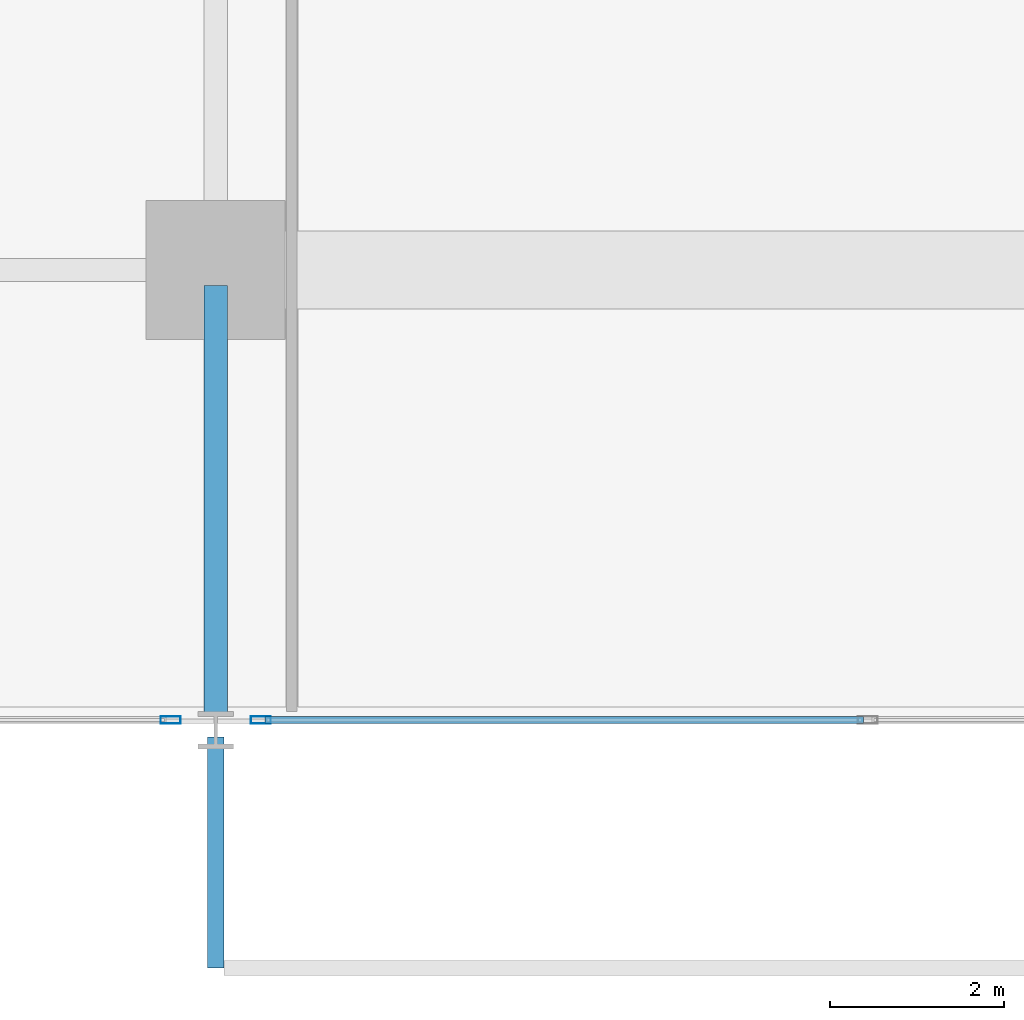
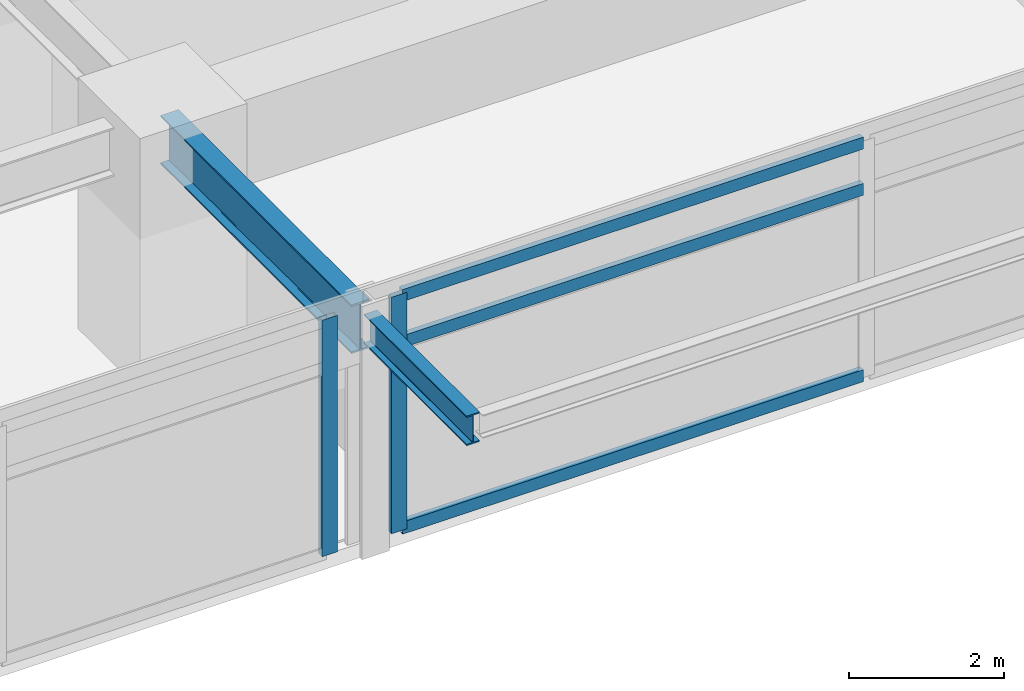
# One storey, part 3 of 23: 5 members, 2 beams, 2 elements without a shape of their own.
"""IFC4 building model written with IfcOpenShell, lengths in metres."""

import ifcopenshell
import ifcopenshell.guid

model = None  # the IFC model being written
_history = None  # IfcOwnerHistory: only IFC2X3 demands one
_inside = {}  # id of a spatial element -> (the spatial element, [elements in it])
_under = {}  # id of a project, library or spatial element -> (it, [spatial elements below it])
_declared = {}  # id of a project -> (the project, [libraries it declares])
_typed = {}  # id of a type object -> (the type object, [elements of that type])
_made_of = {}  # id of a material, layer set ... -> (it, [elements and type objects made of it])


def new_model(schema):
    """Start an empty IFC model of exactly this schema.

    Asked for "IFC4X3", IfcOpenShell would pick the latest addendum, in which some entities
    have other attributes; the version numbers below select the first issue.
    IFC2X3 requires an IfcOwnerHistory on every rooted entity: one is made here for all.
    """
    global model, _history
    if schema == "IFC4X3":
        model = ifcopenshell.file(schema_version=(4, 3, 0, 0))
    else:
        model = ifcopenshell.file(schema=schema)
    _inside.clear()
    _under.clear()
    _declared.clear()
    _typed.clear()
    _made_of.clear()
    _history = None
    if model.schema == "IFC2X3":
        org = make("IfcOrganization", Name="unknown")
        user = make(
            "IfcPersonAndOrganization",
            ThePerson=make("IfcPerson", FamilyName="unknown"),
            TheOrganization=org,
        )
        app = make(
            "IfcApplication",
            ApplicationDeveloper=org,
            Version="unknown",
            ApplicationFullName="unknown",
            ApplicationIdentifier="unknown",
        )
        _history = make(
            "IfcOwnerHistory",
            OwningUser=user,
            OwningApplication=app,
            ChangeAction="ADDED",
            CreationDate=0,
        )
    return model


def make(cls, **values):
    """One entity of the class cls with the attributes given. An attribute that is None is left unset."""
    return model.create_entity(
        cls, **{name: value for name, value in values.items() if value is not None}
    )


def rooted(cls, **values):
    """An entity with a GlobalId (a new one), such as an element, a storey or a relation."""
    return make(cls, GlobalId=ifcopenshell.guid.new(), OwnerHistory=_history, **values)


def si_unit(unit_type, name, prefix=None):
    """IfcSIUnit, for example si_unit("LENGTHUNIT", "METRE", prefix="MILLI")."""
    return make("IfcSIUnit", UnitType=unit_type, Prefix=prefix, Name=name)


def assignment(units):
    """IfcUnitAssignment: the units of a project."""
    return None if units is None else make("IfcUnitAssignment", Units=units)


def point(xyz):
    """IfcCartesianPoint."""
    return None if xyz is None else make("IfcCartesianPoint", Coordinates=xyz)


def direction(xyz):
    """IfcDirection."""
    return None if xyz is None else make("IfcDirection", DirectionRatios=xyz)


def frame(location, z_axis=None, x_axis=None):
    """IfcAxis2Placement3D, a coordinate frame: its origin and axes. An axis left out is left unset."""
    return make(
        "IfcAxis2Placement3D",
        Location=point(location),
        Axis=direction(z_axis),
        RefDirection=direction(x_axis),
    )


def frame_2d(location, x_axis=None):
    """IfcAxis2Placement2D, a coordinate frame in the plane: its origin and x axis."""
    return make(
        "IfcAxis2Placement2D", Location=point(location), RefDirection=direction(x_axis)
    )


def origin():
    """The frame at (0, 0, 0) with its axes left unset."""
    return frame((0.0, 0.0, 0.0))


def origin_2d():
    """The frame at (0, 0) in the plane with its x axis left unset."""
    return frame_2d((0.0, 0.0))


def place(relative_to, where):
    """IfcLocalPlacement: puts the frame where relative to a parent placement (None: the world)."""
    return make(
        "IfcLocalPlacement", PlacementRelTo=relative_to, RelativePlacement=where
    )


def context(
    kind, dimensions, precision=None, world=None, true_north=None, identifier=None
):
    """IfcGeometricRepresentationContext, for example the 3D "Model" context."""
    return make(
        "IfcGeometricRepresentationContext",
        ContextIdentifier=identifier,
        ContextType=kind,
        CoordinateSpaceDimension=dimensions,
        Precision=precision,
        WorldCoordinateSystem=world,
        TrueNorth=true_north,
    )


def subcontext(parent, identifier, kind, view, scale=None):
    """IfcGeometricRepresentationSubContext, for example "Body" below "Model"."""
    return make(
        "IfcGeometricRepresentationSubContext",
        ContextIdentifier=identifier,
        ContextType=kind,
        ParentContext=parent,
        TargetScale=scale,
        TargetView=view,
    )


def project(units=None, contexts=None):
    """IfcProject with its units and contexts."""
    return rooted(
        "IfcProject",
        Name="project",
        RepresentationContexts=contexts,
        UnitsInContext=assignment(units),
    )


def spatial(cls, under=None, at=None, **own):
    """A site, building, storey or space (cls), placed at a placement, below another one or the project."""
    s = rooted(cls, ObjectPlacement=at, **own)
    if under is not None:
        _under.setdefault(under.id(), (under, []))[1].append(s)
    return s


def profile(cls, at=None, kind="AREA", **sizes):
    """A parametric profile (cls). Its sizes go by their IFC names, for example OverallWidth=200.0."""
    return make(cls, ProfileType=kind, Position=at, **sizes)


def hollow_rectangle(**sizes):
    """IfcRectangleHollowProfileDef."""
    return profile("IfcRectangleHollowProfileDef", **sizes)


def i_section(**sizes):
    """IfcIShapeProfileDef."""
    return profile("IfcIShapeProfileDef", **sizes)


def extrude(swept, where, along, depth):
    """IfcExtrudedAreaSolid: the profile swept, set in the frame where, extruded along a direction by depth."""
    return make(
        "IfcExtrudedAreaSolid",
        SweptArea=swept,
        Position=where,
        ExtrudedDirection=direction(along),
        Depth=depth,
    )


def shape(context_of_items, identifier, shape_type, items):
    """IfcShapeRepresentation: the items that make up one representation, for example the "Body"."""
    return make(
        "IfcShapeRepresentation",
        ContextOfItems=context_of_items,
        RepresentationIdentifier=identifier,
        RepresentationType=shape_type,
        Items=items,
    )


def material(Name=None, Category=None):
    """IfcMaterial."""
    return make("IfcMaterial", Name=Name, Category=Category)


def material_profile(
    of_material, cross_section, Name=None, Category=None, Priority=None
):
    """IfcMaterialProfile: a cross section and its material."""
    return make(
        "IfcMaterialProfile",
        Name=Name,
        Material=of_material,
        Profile=cross_section,
        Priority=Priority,
        Category=Category,
    )


def profile_set(profiles, Name=None, composite=None):
    """IfcMaterialProfileSet."""
    return make(
        "IfcMaterialProfileSet",
        Name=Name,
        MaterialProfiles=profiles,
        CompositeProfile=composite,
    )


def made_of(thing, what):
    """Note that an element or type object is made of a material, layer set ...; save() writes the relation."""
    if what is not None:
        _made_of.setdefault(what.id(), (what, []))[1].append(thing)
    return thing


def type_object(cls, material=None, **own):
    """A type object (cls), such as IfcWallType, which elements share."""
    return made_of(rooted(cls, **own), material)


def element(
    cls,
    number,
    at=None,
    inside=None,
    cuts=None,
    type_object=None,
    material=None,
    context=None,
    identifier="Body",
    shape_type=None,
    held_by="IfcProductDefinitionShape",
    body=None,
    shapes=None,
    **own,
):
    """One element of the class cls, such as IfcWall. Its Tag is "e" and its number.

    at: its placement. inside: the storey or other place that contains it. cuts: it is an
    opening in that element (IfcRelVoidsElement). A single representation is given by context,
    identifier, shape_type and body (its items); several are given by shapes. held_by: the class
    of the entity that holds the representations. save() writes the other relations.
    """
    e = rooted(cls, Tag="e%d" % number, ObjectPlacement=at, **own)
    if body is not None:
        shapes = [shape(context, identifier, shape_type, body)]
    if shapes is not None:
        e.Representation = make(held_by, Representations=shapes)
    if inside is not None:
        _inside.setdefault(inside.id(), (inside, []))[1].append(e)
    if cuts is not None:
        rooted(
            "IfcRelVoidsElement", RelatingBuildingElement=cuts, RelatedOpeningElement=e
        )
    if type_object is not None:
        _typed.setdefault(type_object.id(), (type_object, []))[1].append(e)
    return made_of(e, material)


def aggregate(whole, parts):
    """IfcRelAggregates: a whole, such as a stair, and the parts it consists of."""
    return rooted("IfcRelAggregates", RelatingObject=whole, RelatedObjects=parts)


def save(model, path):
    """Write the relations noted so far, then the file.

    IfcRelAggregates (storeys below a building ...), IfcRelContainedInSpatialStructure (elements
    in a storey), IfcRelDefinesByType, IfcRelAssociatesMaterial and IfcRelDeclares: one each for
    every whole, place, type object, material and project.
    """
    for whole, parts in _under.values():
        aggregate(whole, parts)
    for where, things in _inside.values():
        rooted(
            "IfcRelContainedInSpatialStructure",
            RelatedElements=things,
            RelatingStructure=where,
        )
    for kind, things in _typed.values():
        rooted("IfcRelDefinesByType", RelatedObjects=things, RelatingType=kind)
    for what, things in _made_of.values():
        rooted("IfcRelAssociatesMaterial", RelatedObjects=things, RelatingMaterial=what)
    for by, libraries in _declared.values():
        rooted("IfcRelDeclares", RelatingContext=by, RelatedDefinitions=libraries)
    model.write(path)


model = new_model("IFC4")

# Units and contexts
model_context = context("Model", 3, precision=1e-05, world=origin(), true_north=direction((0.0, 1.0)))
body_context = subcontext(model_context, "Body", "Model", "MODEL_VIEW")
ifc_project = project(units=[si_unit("LENGTHUNIT", "METRE"), si_unit("AREAUNIT", "SQUARE_METRE"), si_unit("VOLUMEUNIT", "CUBIC_METRE"), si_unit("PLANEANGLEUNIT", "RADIAN"), si_unit("MASSUNIT", "GRAM", prefix="KILO")], contexts=[model_context])

# Site, building, storey
site_placement = place(None, origin())
site = spatial("IfcSite", under=ifc_project, at=site_placement, CompositionType="ELEMENT")
building_placement = place(site_placement, origin())
building = spatial("IfcBuilding", under=site, at=building_placement, Name="Kovane Verandah Tower", CompositionType="ELEMENT")
storey_placement = place(building_placement, frame((0.0, 0.0, 168.39990234375)))
storey = spatial("IfcBuildingStorey", under=building, at=storey_placement, Name="L39", CompositionType="ELEMENT", Elevation=168.39990234375)

# Beam
ifc_material_1 = material(Name="Steel S355", Category="steel")
ifc_material_profile_1 = material_profile(ifc_material_1, i_section(OverallWidth=0.26806640625, OverallDepth=0.769775390625, WebThickness=0.015625, FlangeThickness=0.025390625, FilletRadius=0.0166015625, at=origin_2d()), Name="UB762x267x197")
ifc_profile_set_1 = profile_set([ifc_material_profile_1], Name="Steel S355")
beam_type_1 = type_object("IfcBeamType", Name="BM-UB762x197", PredefinedType="BEAM", material=ifc_profile_set_1)
beam_1_placement = place(storey_placement, frame((29.0, 10.6201171875, 3.375244140625), z_axis=(0.0, -1.0, 0.0), x_axis=(1.0, 0.0, 0.0)))
element("IfcBeam", 1, at=beam_1_placement, inside=storey, type_object=beam_type_1, Name="L39 Primary Tower Girder G-VS1", PredefinedType="BEAM", context=body_context, shape_type="SweptSolid", body=[
    extrude(i_section(OverallWidth=0.26806640625, OverallDepth=0.769775390625, WebThickness=0.015625, FlangeThickness=0.025390625, FilletRadius=0.0166015625, at=origin_2d()), origin(), (0.0, 0.0, 1.0), 4.940185546875),
])

# Curtain wall, member
ifc_material_2 = material(Name="Champagne Anodised Aluminium Frame with Low-E Clear Laminated Glass", Category="aluminium")
curtain_wall_type = type_object("IfcCurtainWallType", Name="CW-SYS-03-MID", PredefinedType="NOTDEFINED", material=ifc_material_2)
curtain_wall_1_placement = place(storey_placement, origin())
curtain_wall_1 = element("IfcCurtainWall", 2, at=curtain_wall_1_placement, inside=storey, type_object=curtain_wall_type, Name="L39 S Unitised Curtain Wall-1", PredefinedType="NOTDEFINED")
ifc_material_3 = material(Name="Champagne Anodised Aluminium 6063-T6", Category="aluminium")
ifc_material_profile_2 = material_profile(ifc_material_3, hollow_rectangle(XDim=0.0849609375, YDim=0.22998046875, WallThickness=0.00390625, at=origin_2d()), Name="AL85x230x4")
ifc_profile_set_2 = profile_set([ifc_material_profile_2], Name="Champagne Anodised Aluminium 6063-T6")
member_type_1 = type_object("IfcMemberType", Name="CW-MUL-85x230", PredefinedType="MULLION", material=ifc_profile_set_2)
member_1_placement = place(storey_placement, frame((28.47998046875, 5.617919921875, 0.02001953125), z_axis=(0.0, 0.0, 1.0), x_axis=(0.0, -1.0, 0.0)))
member_1 = element("IfcMember", 3, at=member_1_placement, type_object=member_type_1, Name="L39 S Unitised Curtain Wall-1 Mullion 3", PredefinedType="MULLION", context=body_context, shape_type="SweptSolid", body=[
    extrude(hollow_rectangle(XDim=0.0849609375, YDim=0.22998046875, WallThickness=0.00390625, at=origin_2d()), origin(), (0.0, 0.0, 1.0), 3.735107421875),
])
aggregate(curtain_wall_1, [member_1])

# Curtain wall, members
curtain_wall_2_placement = place(storey_placement, origin())
curtain_wall_2 = element("IfcCurtainWall", 4, at=curtain_wall_2_placement, inside=storey, type_object=curtain_wall_type, Name="L39 S Unitised Curtain Wall-2", PredefinedType="NOTDEFINED")
member_2_placement = place(storey_placement, frame((29.52001953125, 5.617919921875, 0.02001953125), z_axis=(0.0, 0.0, 1.0), x_axis=(0.0, -1.0, 0.0)))
member_2 = element("IfcMember", 5, at=member_2_placement, type_object=member_type_1, Name="L39 S Unitised Curtain Wall-2 Mullion 1", PredefinedType="MULLION", context=body_context, shape_type="SweptSolid", body=[
    extrude(hollow_rectangle(XDim=0.0849609375, YDim=0.22998046875, WallThickness=0.00390625, at=origin_2d()), origin(), (0.0, 0.0, 1.0), 3.735107421875),
])
ifc_material_profile_3 = material_profile(ifc_material_3, hollow_rectangle(XDim=0.0849609375, YDim=0.18994140625, WallThickness=0.00390625, at=origin_2d()), Name="AL85x190x4")
ifc_profile_set_3 = profile_set([ifc_material_profile_3], Name="Champagne Anodised Aluminium 6063-T6")
member_type_2 = type_object("IfcMemberType", Name="CW-TRN-85x190", PredefinedType="USERDEFINED", material=ifc_profile_set_3)
member_3_placement = place(storey_placement, frame((29.570068359375, 5.617919921875, 0.050048828125), z_axis=(1.0, 0.0, 0.0), x_axis=(0.0, 1.0, 0.0)))
member_3 = element("IfcMember", 6, at=member_3_placement, type_object=member_type_2, Name="L39 S Unitised Curtain Wall-2 Transom TB Bay 1", ObjectType="TRANSOM", PredefinedType="USERDEFINED", context=body_context, shape_type="SweptSolid", body=[
    extrude(hollow_rectangle(XDim=0.0849609375, YDim=0.18994140625, WallThickness=0.00390625, at=origin_2d()), origin(), (0.0, 0.0, 1.0), 6.88671875),
])
member_4_placement = place(storey_placement, frame((29.570068359375, 5.617919921875, 2.9951171875), z_axis=(1.0, 0.0, 0.0), x_axis=(0.0, 1.0, 0.0)))
member_4 = element("IfcMember", 7, at=member_4_placement, type_object=member_type_2, Name="L39 S Unitised Curtain Wall-2 Transom TM Bay 1", ObjectType="TRANSOM", PredefinedType="USERDEFINED", context=body_context, shape_type="SweptSolid", body=[
    extrude(hollow_rectangle(XDim=0.0849609375, YDim=0.18994140625, WallThickness=0.00390625, at=origin_2d()), origin(), (0.0, 0.0, 1.0), 6.88671875),
])
member_5_placement = place(storey_placement, frame((29.570068359375, 5.617919921875, 3.72509765625), z_axis=(1.0, 0.0, 0.0), x_axis=(0.0, 1.0, 0.0)))
member_5 = element("IfcMember", 8, at=member_5_placement, type_object=member_type_2, Name="L39 S Unitised Curtain Wall-2 Transom TT Bay 1", ObjectType="TRANSOM", PredefinedType="USERDEFINED", context=body_context, shape_type="SweptSolid", body=[
    extrude(hollow_rectangle(XDim=0.0849609375, YDim=0.18994140625, WallThickness=0.00390625, at=origin_2d()), origin(), (0.0, 0.0, 1.0), 6.88671875),
])
aggregate(curtain_wall_2, [member_2, member_3, member_4, member_5])

# Beam
ifc_material_profile_4 = material_profile(ifc_material_1, i_section(OverallWidth=0.19287109375, OverallDepth=0.46728515625, WebThickness=0.011474609375, FlangeThickness=0.01953125, FilletRadius=0.01025390625, at=origin_2d()), Name="UB457x191x98")
ifc_profile_set_4 = profile_set([ifc_material_profile_4], Name="Steel S355")
beam_type_2 = type_object("IfcBeamType", Name="JST-UB457x98", PredefinedType="JOIST", material=ifc_profile_set_4)
beam_2_placement = place(storey_placement, frame((29.0, 5.419921875, 3.526611328125), z_axis=(0.0, -1.0, 0.0), x_axis=(1.0, 0.0, 0.0)))
element("IfcBeam", 9, at=beam_2_placement, inside=storey, type_object=beam_type_2, Name="L39 South Planter Girder 1", PredefinedType="JOIST", context=body_context, shape_type="SweptSolid", body=[
    extrude(i_section(OverallWidth=0.19287109375, OverallDepth=0.46728515625, WebThickness=0.011474609375, FlangeThickness=0.01953125, FilletRadius=0.01025390625, at=origin_2d()), origin(), (0.0, 0.0, 1.0), 2.6591796875),
])

save(model, "model.ifc")
